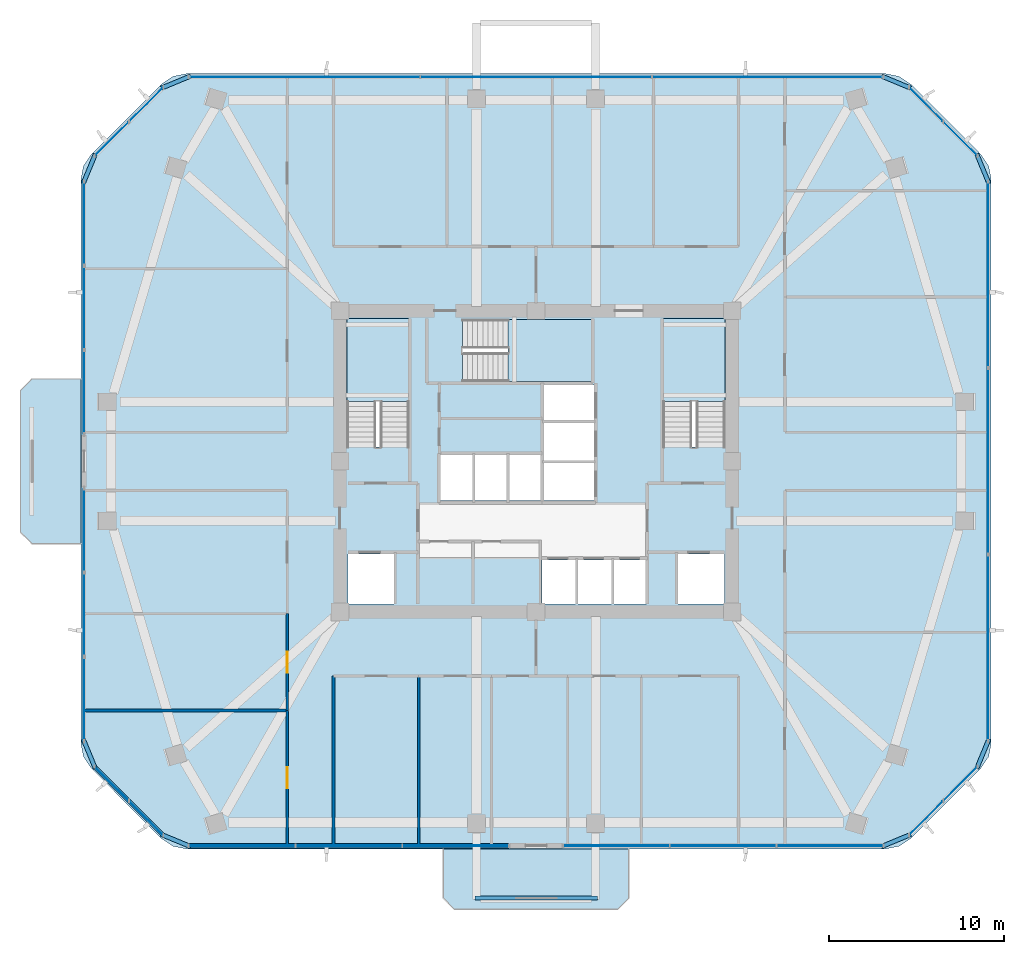
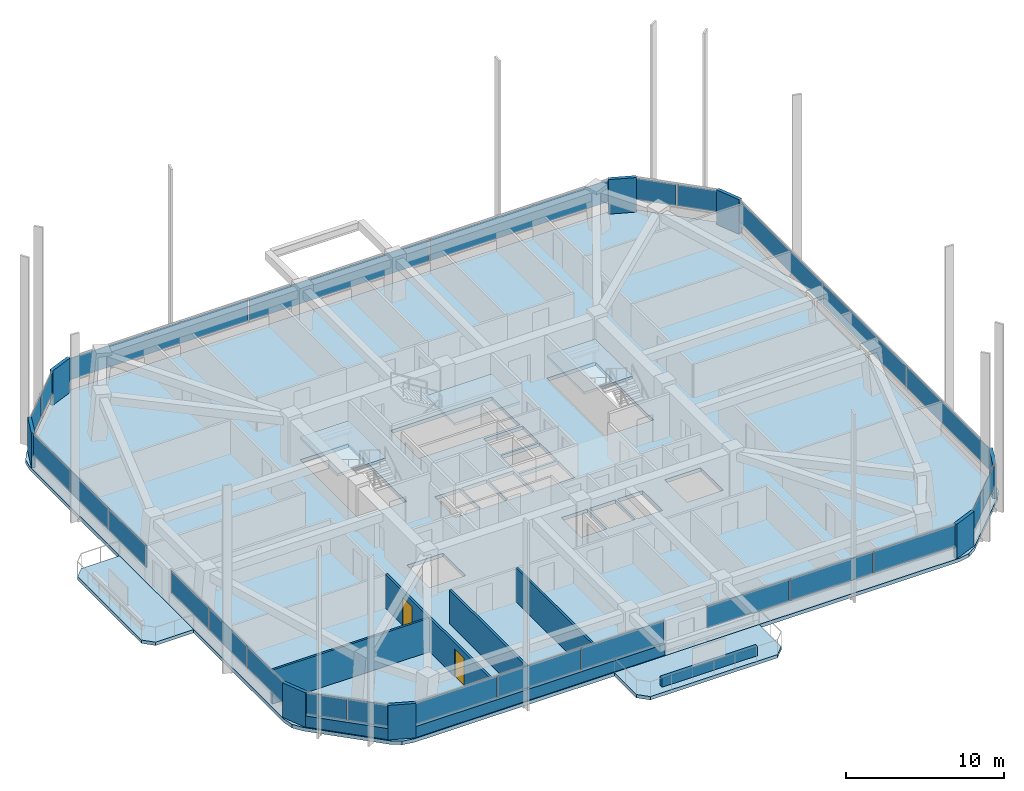
# One storey, part 7 of 15: 34 plates, 8 walls, 6 slabs, 2 doors, 2 openings, 13 elements without a shape of their own.
"""IFC4 building model written with IfcOpenShell, lengths in metres."""

from ifc_helpers import new_model, si_unit, derived_unit, direction, frame, frame_2d, origin, origin_2d, place, context, subcontext, project, spatial, polyline, rectangle, outline, extrude, material, layer, layer_set, type_object, element, fill, aggregate, save


model = new_model("IFC4")

# Units and contexts
model_context = context("Model", 3, precision=1e-05, world=origin(), true_north=direction((0.0, 1.0)))
body_context = subcontext(model_context, "Body", "Model", "MODEL_VIEW")
ifc_project = project(units=[si_unit("LENGTHUNIT", "METRE"), si_unit("AREAUNIT", "SQUARE_METRE"), si_unit("VOLUMEUNIT", "CUBIC_METRE"), si_unit("PLANEANGLEUNIT", "RADIAN"), si_unit("MASSUNIT", "GRAM", prefix="KILO"), derived_unit("THERMALTRANSMITTANCEUNIT", [(si_unit("POWERUNIT", "WATT"), 1), (si_unit("LENGTHUNIT", "METRE"), -2), (si_unit("THERMODYNAMICTEMPERATUREUNIT", "KELVIN"), -1)])], contexts=[model_context])

# Site, building, storey
site_placement = place(None, origin())
site = spatial("IfcSite", under=ifc_project, at=site_placement, CompositionType="ELEMENT")
building_placement = place(site_placement, origin())
building = spatial("IfcBuilding", under=site, at=building_placement, Name="Koralith Skygarden Medical Center", CompositionType="ELEMENT")
storey_placement = place(building_placement, frame((0.0, 0.0, 99.179931640625)))
storey = spatial("IfcBuildingStorey", under=building, at=storey_placement, Name="L25", CompositionType="ELEMENT", Elevation=99.179931640625)

# Curtain wall, plates
ifc_material_1 = material(Name="Clear Laminated Glass", Category="glass")
curtain_wall_type = type_object("IfcCurtainWallType", Name="CW-3 Zone 2 Faceted Solar Curtain Wall", PredefinedType="NOTDEFINED", material=ifc_material_1)
curtain_wall_1_placement = place(storey_placement, origin())
curtain_wall_1 = element("IfcCurtainWall", 1, at=curtain_wall_1_placement, inside=storey, type_object=curtain_wall_type, Name="Curtain Wall CW-L25-S-L", PredefinedType="NOTDEFINED")
ifc_layer_1 = layer(ifc_material_1, 0.033935546875)
ifc_layer_set_1 = layer_set([ifc_layer_1], Name="Clear Laminated Glass")
plate_type_1 = type_object("IfcPlateType", Name="CW-3 Hurricane Laminated IGU Panel 34", PredefinedType="CURTAIN_PANEL", material=ifc_layer_set_1)
plate_1_placement = place(storey_placement, frame((20.2119140625, 3.945068359375, 0.919921875), z_axis=(0.0, 0.0, 1.0), x_axis=(1.0, 0.0, 0.0)))
plate_1 = element("IfcPlate", 2, at=plate_1_placement, type_object=plate_type_1, Name="CW-L25-S-L Glazed Panel 1", PredefinedType="CURTAIN_PANEL", context=body_context, shape_type="SweptSolid", body=[
    extrude(rectangle(XDim=6.009033203125, YDim=0.033935546875, at=origin_2d()), origin(), (0.0, 0.0, 1.0), 1.679931640625),
])
plate_2_placement = place(storey_placement, frame((26.31103515625, 3.945068359375, 0.919921875), z_axis=(0.0, 0.0, 1.0), x_axis=(1.0, 0.0, 0.0)))
plate_2 = element("IfcPlate", 3, at=plate_2_placement, type_object=plate_type_1, Name="CW-L25-S-L Glazed Panel 2", PredefinedType="CURTAIN_PANEL", context=body_context, shape_type="SweptSolid", body=[
    extrude(rectangle(XDim=6.009033203125, YDim=0.033935546875, at=origin_2d()), origin(), (0.0, 0.0, 1.0), 1.679931640625),
])
plate_3_placement = place(storey_placement, frame((32.409912109375, 3.945068359375, 0.919921875), z_axis=(0.0, 0.0, 1.0), x_axis=(1.0, 0.0, 0.0)))
plate_3 = element("IfcPlate", 4, at=plate_3_placement, type_object=plate_type_1, Name="CW-L25-S-L Glazed Panel 3", PredefinedType="CURTAIN_PANEL", context=body_context, shape_type="SweptSolid", body=[
    extrude(rectangle(XDim=6.009033203125, YDim=0.033935546875, at=origin_2d()), origin(), (0.0, 0.0, 1.0), 1.679931640625),
])
aggregate(curtain_wall_1, [plate_1, plate_2, plate_3])

curtain_wall_2_placement = place(storey_placement, origin())
curtain_wall_2 = element("IfcCurtainWall", 5, at=curtain_wall_2_placement, inside=storey, type_object=curtain_wall_type, Name="Curtain Wall CW-L25-S-R", PredefinedType="NOTDEFINED")
plate_4_placement = place(storey_placement, frame((41.589111328125, 3.945068359375, 0.919921875), z_axis=(0.0, 0.0, 1.0), x_axis=(1.0, 0.0, 0.0)))
plate_4 = element("IfcPlate", 6, at=plate_4_placement, type_object=plate_type_1, Name="CW-L25-S-R Glazed Panel 1", PredefinedType="CURTAIN_PANEL", context=body_context, shape_type="SweptSolid", body=[
    extrude(rectangle(XDim=6.010009765625, YDim=0.033935546875, at=origin_2d()), origin(), (0.0, 0.0, 1.0), 1.679931640625),
])
plate_5_placement = place(storey_placement, frame((47.68896484375, 3.945068359375, 0.919921875), z_axis=(0.0, 0.0, 1.0), x_axis=(1.0, 0.0, 0.0)))
plate_5 = element("IfcPlate", 7, at=plate_5_placement, type_object=plate_type_1, Name="CW-L25-S-R Glazed Panel 2", PredefinedType="CURTAIN_PANEL", context=body_context, shape_type="SweptSolid", body=[
    extrude(rectangle(XDim=6.010009765625, YDim=0.033935546875, at=origin_2d()), origin(), (0.0, 0.0, 1.0), 1.679931640625),
])
plate_6_placement = place(storey_placement, frame((53.7880859375, 3.945068359375, 0.919921875), z_axis=(0.0, 0.0, 1.0), x_axis=(1.0, 0.0, 0.0)))
plate_6 = element("IfcPlate", 8, at=plate_6_placement, type_object=plate_type_1, Name="CW-L25-S-R Glazed Panel 3", PredefinedType="CURTAIN_PANEL", context=body_context, shape_type="SweptSolid", body=[
    extrude(rectangle(XDim=6.010009765625, YDim=0.033935546875, at=origin_2d()), origin(), (0.0, 0.0, 1.0), 1.679931640625),
])
aggregate(curtain_wall_2, [plate_4, plate_5, plate_6])

curtain_wall_3_placement = place(storey_placement, origin())
curtain_wall_3 = element("IfcCurtainWall", 9, at=curtain_wall_3_placement, inside=storey, type_object=curtain_wall_type, Name="Curtain Wall CW-L25-SE", PredefinedType="NOTDEFINED")
plate_7_placement = place(storey_placement, frame((59.27001953125, 5.528076171875, 0.919921875), z_axis=(0.0, 0.0, 1.0), x_axis=(0.707106781187, 0.707106781187, 0.0)))
plate_7 = element("IfcPlate", 10, at=plate_7_placement, type_object=plate_type_1, Name="CW-L25-SE Glazed Panel 1", PredefinedType="CURTAIN_PANEL", context=body_context, shape_type="SweptSolid", body=[
    extrude(rectangle(XDim=2.68408203125, YDim=0.033935546875, at=origin_2d()), origin(), (0.0, 0.0, 1.0), 1.679931640625),
])
plate_8_placement = place(storey_placement, frame((61.23095703125, 7.489013671875, 0.919921875), z_axis=(0.0, 0.0, 1.0), x_axis=(0.707106781187, 0.707106781187, 0.0)))
plate_8 = element("IfcPlate", 11, at=plate_8_placement, type_object=plate_type_1, Name="CW-L25-SE Glazed Panel 2", PredefinedType="CURTAIN_PANEL", context=body_context, shape_type="SweptSolid", body=[
    extrude(rectangle(XDim=2.68408203125, YDim=0.033935546875, at=origin_2d()), origin(), (0.0, 0.0, 1.0), 1.679931640625),
])
aggregate(curtain_wall_3, [plate_7, plate_8])

curtain_wall_4_placement = place(storey_placement, origin())
curtain_wall_4 = element("IfcCurtainWall", 12, at=curtain_wall_4_placement, inside=storey, type_object=curtain_wall_type, Name="Curtain Wall CW-L25-E", PredefinedType="NOTDEFINED")
plate_9_placement = place(storey_placement, frame((62.81298828125, 15.2470703125, 0.919921875), z_axis=(0.0, 0.0, 1.0), x_axis=(0.0, 1.0, 0.0)))
plate_9 = element("IfcPlate", 13, at=plate_9_placement, type_object=plate_type_1, Name="CW-L25-E Glazed Panel 1", PredefinedType="CURTAIN_PANEL", context=body_context, shape_type="SweptSolid", body=[
    extrude(rectangle(XDim=10.56298828125, YDim=0.033935546875, at=origin_2d()), origin(), (0.0, 0.0, 1.0), 1.679931640625),
])
plate_10_placement = place(storey_placement, frame((62.81298828125, 25.89990234375, 0.919921875), z_axis=(0.0, 0.0, 1.0), x_axis=(0.0, 1.0, 0.0)))
plate_10 = element("IfcPlate", 14, at=plate_10_placement, type_object=plate_type_1, Name="CW-L25-E Glazed Panel 2", PredefinedType="CURTAIN_PANEL", context=body_context, shape_type="SweptSolid", body=[
    extrude(rectangle(XDim=10.56298828125, YDim=0.033935546875, at=origin_2d()), origin(), (0.0, 0.0, 1.0), 1.679931640625),
])
plate_11_placement = place(storey_placement, frame((62.81298828125, 36.552978515625, 0.919921875), z_axis=(0.0, 0.0, 1.0), x_axis=(0.0, 1.0, 0.0)))
plate_11 = element("IfcPlate", 15, at=plate_11_placement, type_object=plate_type_1, Name="CW-L25-E Glazed Panel 3", PredefinedType="CURTAIN_PANEL", context=body_context, shape_type="SweptSolid", body=[
    extrude(rectangle(XDim=10.56298828125, YDim=0.033935546875, at=origin_2d()), origin(), (0.0, 0.0, 1.0), 1.679931640625),
])
aggregate(curtain_wall_4, [plate_9, plate_10, plate_11])

curtain_wall_5_placement = place(storey_placement, origin())
curtain_wall_5 = element("IfcCurtainWall", 16, at=curtain_wall_5_placement, inside=storey, type_object=curtain_wall_type, Name="Curtain Wall CW-L25-NE", PredefinedType="NOTDEFINED")
plate_12_placement = place(storey_placement, frame((61.23095703125, 44.31103515625, 0.919921875), z_axis=(0.0, 0.0, 1.0), x_axis=(-0.707106781187, 0.707106781187, 0.0)))
plate_12 = element("IfcPlate", 17, at=plate_12_placement, type_object=plate_type_1, Name="CW-L25-NE Glazed Panel 1", PredefinedType="CURTAIN_PANEL", context=body_context, shape_type="SweptSolid", body=[
    extrude(rectangle(XDim=2.68408203125, YDim=0.033935546875, at=origin_2d()), origin(), (0.0, 0.0, 1.0), 1.679931640625),
])
plate_13_placement = place(storey_placement, frame((59.27001953125, 46.27197265625, 0.919921875), z_axis=(0.0, 0.0, 1.0), x_axis=(-0.707106781187, 0.707106781187, 0.0)))
plate_13 = element("IfcPlate", 18, at=plate_13_placement, type_object=plate_type_1, Name="CW-L25-NE Glazed Panel 2", PredefinedType="CURTAIN_PANEL", context=body_context, shape_type="SweptSolid", body=[
    extrude(rectangle(XDim=2.68408203125, YDim=0.033935546875, at=origin_2d()), origin(), (0.0, 0.0, 1.0), 1.679931640625),
])
aggregate(curtain_wall_5, [plate_12, plate_13])

curtain_wall_6_placement = place(storey_placement, origin())
curtain_wall_6 = element("IfcCurtainWall", 19, at=curtain_wall_6_placement, inside=storey, type_object=curtain_wall_type, Name="Curtain Wall CW-L25-N", PredefinedType="NOTDEFINED")
plate_14_placement = place(storey_placement, frame((50.22509765625, 47.85498046875, 0.919921875), z_axis=(0.0, 0.0, 1.0), x_axis=(-1.0, 0.0, 0.0)))
plate_14 = element("IfcPlate", 20, at=plate_14_placement, type_object=plate_type_1, Name="CW-L25-N Glazed Panel 1", PredefinedType="CURTAIN_PANEL", context=body_context, shape_type="SweptSolid", body=[
    extrude(rectangle(XDim=13.135009765625, YDim=0.033935546875, at=origin_2d()), origin(), (0.0, 0.0, 1.0), 1.679931640625),
])
plate_15_placement = place(storey_placement, frame((37.0, 47.85498046875, 0.919921875), z_axis=(0.0, 0.0, 1.0), x_axis=(-1.0, 0.0, 0.0)))
plate_15 = element("IfcPlate", 21, at=plate_15_placement, type_object=plate_type_1, Name="CW-L25-N Glazed Panel 2", PredefinedType="CURTAIN_PANEL", context=body_context, shape_type="SweptSolid", body=[
    extrude(rectangle(XDim=13.135009765625, YDim=0.033935546875, at=origin_2d()), origin(), (0.0, 0.0, 1.0), 1.679931640625),
])
plate_16_placement = place(storey_placement, frame((23.77490234375, 47.85498046875, 0.919921875), z_axis=(0.0, 0.0, 1.0), x_axis=(-1.0, 0.0, 0.0)))
plate_16 = element("IfcPlate", 22, at=plate_16_placement, type_object=plate_type_1, Name="CW-L25-N Glazed Panel 3", PredefinedType="CURTAIN_PANEL", context=body_context, shape_type="SweptSolid", body=[
    extrude(rectangle(XDim=13.135009765625, YDim=0.033935546875, at=origin_2d()), origin(), (0.0, 0.0, 1.0), 1.679931640625),
])
aggregate(curtain_wall_6, [plate_14, plate_15, plate_16])

curtain_wall_7_placement = place(storey_placement, origin())
curtain_wall_7 = element("IfcCurtainWall", 23, at=curtain_wall_7_placement, inside=storey, type_object=curtain_wall_type, Name="Curtain Wall CW-L25-NW", PredefinedType="NOTDEFINED")
plate_17_placement = place(storey_placement, frame((14.72998046875, 46.27197265625, 0.919921875), z_axis=(0.0, 0.0, 1.0), x_axis=(-0.707106781187, -0.707106781187, 0.0)))
plate_17 = element("IfcPlate", 24, at=plate_17_placement, type_object=plate_type_1, Name="CW-L25-NW Glazed Panel 1", PredefinedType="CURTAIN_PANEL", context=body_context, shape_type="SweptSolid", body=[
    extrude(rectangle(XDim=2.68408203125, YDim=0.033935546875, at=origin_2d()), origin(), (0.0, 0.0, 1.0), 1.679931640625),
])
plate_18_placement = place(storey_placement, frame((12.76904296875, 44.31103515625, 0.919921875), z_axis=(0.0, 0.0, 1.0), x_axis=(-0.707106781187, -0.707106781187, 0.0)))
plate_18 = element("IfcPlate", 25, at=plate_18_placement, type_object=plate_type_1, Name="CW-L25-NW Glazed Panel 2", PredefinedType="CURTAIN_PANEL", context=body_context, shape_type="SweptSolid", body=[
    extrude(rectangle(XDim=2.68408203125, YDim=0.033935546875, at=origin_2d()), origin(), (0.0, 0.0, 1.0), 1.679931640625),
])
aggregate(curtain_wall_7, [plate_17, plate_18])

curtain_wall_8_placement = place(storey_placement, origin())
curtain_wall_8 = element("IfcCurtainWall", 26, at=curtain_wall_8_placement, inside=storey, type_object=curtain_wall_type, Name="Curtain Wall CW-L25-W-L", PredefinedType="NOTDEFINED")
plate_19_placement = place(storey_placement, frame((11.18701171875, 39.471923828125, 0.919921875), z_axis=(0.0, 0.0, 1.0), x_axis=(0.0, -1.0, 0.0)))
plate_19 = element("IfcPlate", 27, at=plate_19_placement, type_object=plate_type_1, Name="CW-L25-W-L Glazed Panel 1", PredefinedType="CURTAIN_PANEL", context=body_context, shape_type="SweptSolid", body=[
    extrude(rectangle(XDim=4.722900390625, YDim=0.033935546875, at=origin_2d()), origin(), (0.0, 0.0, 1.0), 1.679931640625),
])
plate_20_placement = place(storey_placement, frame((11.18701171875, 34.659912109375, 0.919921875), z_axis=(0.0, 0.0, 1.0), x_axis=(0.0, -1.0, 0.0)))
plate_20 = element("IfcPlate", 28, at=plate_20_placement, type_object=plate_type_1, Name="CW-L25-W-L Glazed Panel 2", PredefinedType="CURTAIN_PANEL", context=body_context, shape_type="SweptSolid", body=[
    extrude(rectangle(XDim=4.722900390625, YDim=0.033935546875, at=origin_2d()), origin(), (0.0, 0.0, 1.0), 1.679931640625),
])
plate_21_placement = place(storey_placement, frame((11.18701171875, 29.845947265625, 0.919921875), z_axis=(0.0, 0.0, 1.0), x_axis=(0.0, -1.0, 0.0)))
plate_21 = element("IfcPlate", 29, at=plate_21_placement, type_object=plate_type_1, Name="CW-L25-W-L Glazed Panel 3", PredefinedType="CURTAIN_PANEL", context=body_context, shape_type="SweptSolid", body=[
    extrude(rectangle(XDim=4.722900390625, YDim=0.033935546875, at=origin_2d()), origin(), (0.0, 0.0, 1.0), 1.679931640625),
])
aggregate(curtain_wall_8, [plate_19, plate_20, plate_21])

curtain_wall_9_placement = place(storey_placement, origin())
curtain_wall_9 = element("IfcCurtainWall", 30, at=curtain_wall_9_placement, inside=storey, type_object=curtain_wall_type, Name="Curtain Wall CW-L25-W-R", PredefinedType="NOTDEFINED")
plate_22_placement = place(storey_placement, frame((11.18701171875, 21.952880859375, 0.919921875), z_axis=(0.0, 0.0, 1.0), x_axis=(0.0, -1.0, 0.0)))
plate_22 = element("IfcPlate", 31, at=plate_22_placement, type_object=plate_type_1, Name="CW-L25-W-R Glazed Panel 1", PredefinedType="CURTAIN_PANEL", context=body_context, shape_type="SweptSolid", body=[
    extrude(rectangle(XDim=4.722900390625, YDim=0.033935546875, at=origin_2d()), origin(), (0.0, 0.0, 1.0), 1.679931640625),
])
plate_23_placement = place(storey_placement, frame((11.18701171875, 17.139892578125, 0.919921875), z_axis=(0.0, 0.0, 1.0), x_axis=(0.0, -1.0, 0.0)))
plate_23 = element("IfcPlate", 32, at=plate_23_placement, type_object=plate_type_1, Name="CW-L25-W-R Glazed Panel 2", PredefinedType="CURTAIN_PANEL", context=body_context, shape_type="SweptSolid", body=[
    extrude(rectangle(XDim=4.722900390625, YDim=0.033935546875, at=origin_2d()), origin(), (0.0, 0.0, 1.0), 1.679931640625),
])
plate_24_placement = place(storey_placement, frame((11.18701171875, 12.327880859375, 0.919921875), z_axis=(0.0, 0.0, 1.0), x_axis=(0.0, -1.0, 0.0)))
plate_24 = element("IfcPlate", 33, at=plate_24_placement, type_object=plate_type_1, Name="CW-L25-W-R Glazed Panel 3", PredefinedType="CURTAIN_PANEL", context=body_context, shape_type="SweptSolid", body=[
    extrude(rectangle(XDim=4.722900390625, YDim=0.033935546875, at=origin_2d()), origin(), (0.0, 0.0, 1.0), 1.679931640625),
])
aggregate(curtain_wall_9, [plate_22, plate_23, plate_24])

curtain_wall_10_placement = place(storey_placement, origin())
curtain_wall_10 = element("IfcCurtainWall", 34, at=curtain_wall_10_placement, inside=storey, type_object=curtain_wall_type, Name="Curtain Wall CW-L25-SW", PredefinedType="NOTDEFINED")
plate_25_placement = place(storey_placement, frame((12.76904296875, 7.489013671875, 0.919921875), z_axis=(0.0, 0.0, 1.0), x_axis=(0.707106781187, -0.707106781187, 0.0)))
plate_25 = element("IfcPlate", 35, at=plate_25_placement, type_object=plate_type_1, Name="CW-L25-SW Glazed Panel 1", PredefinedType="CURTAIN_PANEL", context=body_context, shape_type="SweptSolid", body=[
    extrude(rectangle(XDim=2.68408203125, YDim=0.033935546875, at=origin_2d()), origin(), (0.0, 0.0, 1.0), 1.679931640625),
])
plate_26_placement = place(storey_placement, frame((14.72998046875, 5.528076171875, 0.919921875), z_axis=(0.0, 0.0, 1.0), x_axis=(0.707106781187, -0.707106781187, 0.0)))
plate_26 = element("IfcPlate", 36, at=plate_26_placement, type_object=plate_type_1, Name="CW-L25-SW Glazed Panel 2", PredefinedType="CURTAIN_PANEL", context=body_context, shape_type="SweptSolid", body=[
    extrude(rectangle(XDim=2.68408203125, YDim=0.033935546875, at=origin_2d()), origin(), (0.0, 0.0, 1.0), 1.679931640625),
])
aggregate(curtain_wall_10, [plate_25, plate_26])

# Slabs
ifc_material_2 = material(Name="Concrete C45/55", Category="concrete")
ifc_layer_2 = layer(ifc_material_2, 0.260009765625)
ifc_layer_set_2 = layer_set([ifc_layer_2], Name="Concrete C45/55")
slab_type_1 = type_object("IfcSlabType", Name="Cantilevered Planted Balcony Slab 260", PredefinedType="FLOOR", material=ifc_layer_set_2)
slab_1_placement = place(storey_placement, frame((0.0, 0.0, -0.260009765625)))
element("IfcSlab", 37, at=slab_1_placement, inside=storey, type_object=slab_type_1, Name="L25 S Planted Sky-Garden Balcony Slab", PredefinedType="FLOOR", context=body_context, shape_type="SweptSolid", body=[
    extrude(outline(polyline([(32.35009765625, 0.31494140625), (41.64990234375, 0.31494140625), (42.300048828125, 0.965087890625), (42.300048828125, 3.764892578125), (31.699951171875, 3.764892578125), (31.699951171875, 0.965087890625), (32.35009765625, 0.31494140625)])), origin(), (0.0, 0.0, 1.0), 0.260009765625),
])
slab_2_placement = place(storey_placement, frame((0.0, 0.0, -0.260009765625)))
element("IfcSlab", 38, at=slab_2_placement, inside=storey, type_object=slab_type_1, Name="L25 W Planted Sky-Garden Balcony Slab", PredefinedType="FLOOR", context=body_context, shape_type="SweptSolid", body=[
    extrude(outline(polyline([(8.20703125, 21.199951171875), (11.007080078125, 21.199951171875), (11.007080078125, 30.60009765625), (8.20703125, 30.60009765625), (7.556884765625, 29.949951171875), (7.556884765625, 21.85009765625), (8.20703125, 21.199951171875)])), origin(), (0.0, 0.0, 1.0), 0.260009765625),
])

# Stair, slab
stair_type = type_object("IfcStairType", Name="Core Exit Dogleg Concrete Stair", PredefinedType="HALF_TURN_STAIR", material=ifc_material_2)
stair_1_placement = place(storey_placement, origin())
stair_1 = element("IfcStair", 39, at=stair_1_placement, inside=storey, type_object=stair_type, Name="L25 Smokeproof Exit Stair ST1", PredefinedType="HALF_TURN_STAIR")
ifc_layer_3 = layer(ifc_material_2, 0.199951171875)
ifc_layer_set_3 = layer_set([ifc_layer_3], Name="Concrete C45/55")
slab_type_2 = type_object("IfcSlabType", Name="Core Exit Concrete Stair Landing 200", PredefinedType="LANDING", material=ifc_layer_set_3)
slab_3_placement = place(storey_placement, frame((0.0, 0.0, 1.60009765625)))
slab_3 = element("IfcSlab", 40, at=slab_3_placement, type_object=slab_type_2, Name="ST1 landing 1", PredefinedType="LANDING", context=body_context, shape_type="SweptSolid", body=[
    extrude(outline(polyline([(29.75, 29.31005859375), (29.75, 34.050048828125), (26.199951171875, 34.050048828125), (26.199951171875, 29.31005859375), (29.75, 29.31005859375)])), origin(), (0.0, 0.0, 1.0), 0.199951171875),
])
aggregate(stair_1, [slab_3])

stair_2_placement = place(storey_placement, origin())
stair_2 = element("IfcStair", 41, at=stair_2_placement, inside=storey, type_object=stair_type, Name="L25 Smokeproof Exit Stair ST2", PredefinedType="HALF_TURN_STAIR")
slab_4_placement = place(storey_placement, frame((0.0, 0.0, 1.60009765625)))
slab_4 = element("IfcSlab", 42, at=slab_4_placement, type_object=slab_type_2, Name="ST2 landing 1", PredefinedType="LANDING", context=body_context, shape_type="SweptSolid", body=[
    extrude(outline(polyline([(47.800048828125, 29.31005859375), (47.800048828125, 34.050048828125), (44.25, 34.050048828125), (44.25, 29.31005859375), (47.800048828125, 29.31005859375)])), origin(), (0.0, 0.0, 1.0), 0.199951171875),
])
aggregate(stair_2, [slab_4])

stair_3_placement = place(storey_placement, origin())
stair_3 = element("IfcStair", 43, at=stair_3_placement, inside=storey, type_object=stair_type, Name="L25 Smokeproof Exit Stair ST3", PredefinedType="HALF_TURN_STAIR")
slab_5_placement = place(storey_placement, frame((0.0, 0.0, 1.60009765625)))
slab_5 = element("IfcSlab", 44, at=slab_5_placement, type_object=slab_type_2, Name="ST3 landing 1", PredefinedType="LANDING", context=body_context, shape_type="SweptSolid", body=[
    extrude(outline(polyline([(35.409912109375, 30.449951171875), (40.199951171875, 30.449951171875), (40.199951171875, 34.0), (35.409912109375, 34.0), (35.409912109375, 30.449951171875)])), origin(), (0.0, 0.0, 1.0), 0.199951171875),
])
aggregate(stair_3, [slab_5])

# Slab
ifc_layer_4 = layer(ifc_material_2, 0.280029296875)
ifc_layer_set_4 = layer_set([ifc_layer_4], Name="Concrete C45/55")
slab_type_3 = type_object("IfcSlabType", Name="Post-Tensioned Ward Floor Plate 280", PredefinedType="FLOOR", material=ifc_layer_set_4)
slab_6_placement = place(storey_placement, frame((0.0, 0.0, -0.280029296875)))
element("IfcSlab", 45, at=slab_6_placement, inside=storey, type_object=slab_type_3, Name="Level L25 Structural Floor Slab", PredefinedType="FLOOR", context=body_context, shape_type="SweptSolid", body=[
    extrude(outline(polyline([(15.62109375, 4.35107421875), (16.27001953125, 3.91796875), (17.034912109375, 3.764892578125), (56.965087890625, 3.764892578125), (57.72998046875, 3.91796875), (58.37890625, 4.35107421875), (62.406982421875, 8.3798828125), (62.841064453125, 9.029052734375), (62.992919921875, 9.7939453125), (62.992919921875, 42.006103515625), (62.841064453125, 42.77099609375), (62.406982421875, 43.419921875), (58.37890625, 47.448974609375), (57.72998046875, 47.882080078125), (56.965087890625, 48.033935546875), (17.034912109375, 48.033935546875), (16.27001953125, 47.882080078125), (15.62109375, 47.448974609375), (11.593017578125, 43.419921875), (11.158935546875, 42.77099609375), (11.007080078125, 42.006103515625), (11.007080078125, 9.7939453125), (11.158935546875, 9.029052734375), (11.593017578125, 8.3798828125), (15.62109375, 4.35107421875)]), holes=[polyline([(26.199951171875, 26.705078125), (29.75, 26.705078125), (29.75, 34.050048828125), (26.199951171875, 34.050048828125), (26.199951171875, 26.705078125)]), polyline([(44.25, 26.705078125), (47.800048828125, 26.705078125), (47.800048828125, 34.050048828125), (44.25, 34.050048828125), (44.25, 26.705078125)]), polyline([(32.804931640625, 30.449951171875), (40.199951171875, 30.449951171875), (40.199951171875, 34.0), (32.804931640625, 34.0), (32.804931640625, 30.449951171875)]), polyline([(26.25, 17.75), (28.89990234375, 17.75), (28.89990234375, 20.60009765625), (26.25, 20.60009765625), (26.25, 17.75)]), polyline([(45.10009765625, 17.75), (47.75, 17.75), (47.75, 20.60009765625), (45.10009765625, 20.60009765625), (45.10009765625, 17.75)]), polyline([(37.35009765625, 17.75), (39.25, 17.75), (39.25, 20.25), (37.35009765625, 20.25), (37.35009765625, 17.75)]), polyline([(39.39990234375, 17.75), (41.300048828125, 17.75), (41.300048828125, 20.25), (39.39990234375, 20.25), (39.39990234375, 17.75)]), polyline([(41.449951171875, 17.75), (43.300048828125, 17.75), (43.300048828125, 20.25), (41.449951171875, 20.25), (41.449951171875, 17.75)]), polyline([(31.550048828125, 23.64990234375), (33.39990234375, 23.64990234375), (33.39990234375, 26.25), (31.550048828125, 26.25), (31.550048828125, 23.64990234375)]), polyline([(33.5, 23.64990234375), (35.35009765625, 23.64990234375), (35.35009765625, 26.25), (33.5, 26.25), (33.5, 23.64990234375)]), polyline([(35.449951171875, 23.64990234375), (37.300048828125, 23.64990234375), (37.300048828125, 26.25), (35.449951171875, 26.25), (35.449951171875, 23.64990234375)]), polyline([(37.449951171875, 23.64990234375), (40.300048828125, 23.64990234375), (40.300048828125, 25.800048828125), (37.449951171875, 25.800048828125), (37.449951171875, 23.64990234375)]), polyline([(37.449951171875, 25.949951171875), (40.300048828125, 25.949951171875), (40.300048828125, 28.10009765625), (37.449951171875, 28.10009765625), (37.449951171875, 25.949951171875)]), polyline([(37.449951171875, 28.25), (40.300048828125, 28.25), (40.300048828125, 30.25), (37.449951171875, 30.25), (37.449951171875, 28.25)])]), origin(), (0.0, 0.0, 1.0), 0.280029296875),
])

# Plates
ifc_material_3 = material(Name="Warm Oolitic Limestone Cladding", Category="masonry")
ifc_layer_5 = layer(ifc_material_3, 0.239990234375)
ifc_layer_set_5 = layer_set([ifc_layer_5], Name="Warm Oolitic Limestone Cladding")
plate_type_2 = type_object("IfcPlateType", Name="Rounded-Corner Oolitic Limestone Cladding Panel 240", PredefinedType="USERDEFINED", material=ifc_layer_set_5)
for number, where, z_axis, x_axis, name in (
    (46, (57.56396484375, 4.24609375, 0.0), (0.0, 0.0, 1.0), (0.923659638286, 0.383213873184, 0.0), "L25 Rounded-Corner Limestone Pier 1"),
    (47, (62.512939453125, 9.195068359375, 0.0), (0.0, 0.0, 1.0), (0.382670532536, 0.92388487569, 0.0), "L25 Rounded-Corner Limestone Pier 2"),
    (48, (62.512939453125, 42.60498046875, 0.0), (0.0, 0.0, 1.0), (-0.382670532536, 0.92388487569, 0.0), "L25 Rounded-Corner Limestone Pier 3"),
    (49, (57.56396484375, 47.553955078125, 0.0), (0.0, 0.0, 1.0), (-0.923659638286, 0.383213873184, 0.0), "L25 Rounded-Corner Limestone Pier 4"),
    (50, (16.43603515625, 47.553955078125, 0.0), (0.0, 0.0, 1.0), (-0.923659638286, -0.383213873184, 0.0), "L25 Rounded-Corner Limestone Pier 5"),
    (51, (11.488037109375, 42.60498046875, 0.0), (0.0, 0.0, 1.0), (-0.382670532536, -0.92388487569, 0.0), "L25 Rounded-Corner Limestone Pier 6"),
    (52, (11.488037109375, 9.195068359375, 0.0), (0.0, 0.0, 1.0), (0.382670532536, -0.92388487569, 0.0), "L25 Rounded-Corner Limestone Pier 7"),
    (53, (16.43603515625, 4.24609375, 0.0), (0.0, 0.0, 1.0), (0.923659638286, -0.383213873184, 0.0), "L25 Rounded-Corner Limestone Pier 8"),
):
    element("IfcPlate", number, at=place(storey_placement, frame(where, z_axis=z_axis, x_axis=x_axis)), inside=storey, type_object=plate_type_2, Name=name, ObjectType="LIMESTONE CLADDING", PredefinedType="USERDEFINED", context=body_context, shape_type="SweptSolid", body=[
        extrude(rectangle(XDim=1.81103515625, YDim=0.239990234375, at=origin_2d()), origin(), (0.0, 0.0, 1.0), 2.669921875),
    ])

# Walls
ifc_material_4 = material(Name="Gypsum Board Partition")
ifc_layer_6 = layer(ifc_material_4, 0.14990234375)
ifc_layer_set_6 = layer_set([ifc_layer_6], Name="Gypsum Board Partition")
wall_type_1 = type_object("IfcWallType", Name="Clinical Acoustic Partition 150", PredefinedType="PARTITIONING", material=ifc_layer_set_6)
wall_1_placement = place(storey_placement, frame((30.294921875, 13.639892578125, 0.0), z_axis=(0.0, 0.0, 1.0), x_axis=(0.0, -1.0, 0.0)))
element("IfcWall", 54, at=wall_1_placement, inside=storey, type_object=wall_type_1, Name="L25 Clinical Acoustic Partition 150 W-PART-L25-S-01", PredefinedType="PARTITIONING", context=body_context, shape_type="SweptSolid", body=[
    extrude(rectangle(XDim=9.6748046875, YDim=0.14990234375, at=frame_2d((4.83740234375, 0.0))), origin(), (0.0, 0.0, 1.0), 2.610107421875),
])
wall_2_placement = place(storey_placement, frame((22.7900390625, 11.6689453125, 0.0), z_axis=(0.0, 0.0, 1.0), x_axis=(-1.0, 0.0, 0.0)))
element("IfcWall", 55, at=wall_2_placement, inside=storey, type_object=wall_type_1, Name="L25 Clinical Acoustic Partition 150 W-PART-L25-WS-01", PredefinedType="PARTITIONING", context=body_context, shape_type="SweptSolid", body=[
    extrude(rectangle(XDim=11.5830078125, YDim=0.14990234375, at=frame_2d((5.79150390625, 0.0))), origin(), (0.0, 0.0, 1.0), 2.610107421875),
])
ifc_layer_7 = layer(ifc_material_4, 0.1650390625)
ifc_layer_set_7 = layer_set([ifc_layer_7], Name="Gypsum Board Partition")
wall_type_2 = type_object("IfcWallType", Name="Clinical Corridor Partition 165", PredefinedType="PARTITIONING", material=ifc_layer_set_7)
wall_3_placement = place(storey_placement, frame((25.429931640625, 3.965087890625, 0.0), z_axis=(0.0, 0.0, 1.0), x_axis=(0.0, 1.0, 0.0)))
element("IfcWall", 56, at=wall_3_placement, inside=storey, type_object=wall_type_2, Name="L25 Clinical Corridor Partition 165 W-HCOR-L25-SW", PredefinedType="PARTITIONING", context=body_context, shape_type="SweptSolid", body=[
    extrude(rectangle(XDim=9.6748046875, YDim=0.1650390625, at=frame_2d((4.83740234375, 0.0))), origin(), (0.0, 0.0, 1.0), 2.610107421875),
])

# Wall, opening, door
wall_4_placement = place(storey_placement, frame((22.7900390625, 3.965087890625, 0.0), z_axis=(0.0, 0.0, 1.0), x_axis=(0.0, 1.0, 0.0)))
wall_4 = element("IfcWall", 57, at=wall_4_placement, inside=storey, type_object=wall_type_2, Name="L25 Clinical Corridor Partition 165 W-CORR-L25-WS-01", PredefinedType="PARTITIONING", context=body_context, shape_type="SweptSolid", body=[
    extrude(rectangle(XDim=7.703857421875, YDim=0.1650390625, at=frame_2d((3.85205078125, 0.0))), origin(), (0.0, 0.0, 1.0), 2.610107421875),
])
opening_1_placement = place(wall_4_placement, frame((3.251953125, 0.0, 0.0)))
opening_1 = element("IfcOpeningElement", 58, at=opening_1_placement, cuts=wall_4, Name="Opening D-CLN", PredefinedType="OPENING", context=body_context, shape_type="SweptSolid", body=[
    extrude(rectangle(XDim=1.199951171875, YDim=2.14990234375, at=frame_2d((0.60009765625, 1.074951171875))), frame((0.0, 0.092529296875, 0.0), z_axis=(0.0, -1.0, 0.0), x_axis=(1.0, 0.0, 0.0)), (0.0, 0.0, 1.0), 0.18505859375),
])
ifc_material_5 = material(Name="Aluminium 6063-T6", Category="aluminium")
door_type = type_object("IfcDoorType", Name="Clinical Corridor Door D-CLN 1200", OperationType="NOTDEFINED", PredefinedType="DOOR", material=ifc_material_5)
door_1_placement = place(opening_1_placement, frame((1.199951171875, 0.0, 0.0), z_axis=(0.0, 0.0, 1.0), x_axis=(-1.0, 0.0, 0.0)))
door_1 = element("IfcDoor", 59, at=door_1_placement, inside=storey, type_object=door_type, Name="L25 Palliative Quiet Family Lounge 10 Door", OperationType="SINGLE_SWING_LEFT", OverallHeight=2.14990234375, OverallWidth=1.199951171875, PredefinedType="DOOR", context=body_context, shape_type="SweptSolid", body=[
    extrude(rectangle(XDim=1.199951171875, YDim=2.14990234375, at=frame_2d((0.60009765625, 1.074951171875))), frame((0.0, 0.02490234375, 0.0), z_axis=(0.0, -1.0, 0.0), x_axis=(1.0, 0.0, 0.0)), (0.0, 0.0, 1.0), 0.050048828125),
])
fill(opening_1, door_1)

wall_5_placement = place(storey_placement, frame((22.7900390625, 11.6689453125, 0.0), z_axis=(0.0, 0.0, 1.0), x_axis=(0.0, 1.0, 0.0)))
wall_5 = element("IfcWall", 60, at=wall_5_placement, inside=storey, type_object=wall_type_2, Name="L25 Clinical Corridor Partition 165 W-CORR-L25-WS-02", PredefinedType="PARTITIONING", context=body_context, shape_type="SweptSolid", body=[
    extrude(rectangle(XDim=5.531005859375, YDim=0.1650390625, at=frame_2d((2.765625, 0.0))), origin(), (0.0, 0.0, 1.0), 2.610107421875),
])
opening_2_placement = place(wall_5_placement, frame((2.1650390625, 0.0, 0.0)))
opening_2 = element("IfcOpeningElement", 61, at=opening_2_placement, cuts=wall_5, Name="Opening D-CLN", PredefinedType="OPENING", context=body_context, shape_type="SweptSolid", body=[
    extrude(rectangle(XDim=1.199951171875, YDim=2.14990234375, at=frame_2d((0.60009765625, 1.074951171875))), frame((0.0, 0.092529296875, 0.0), z_axis=(0.0, -1.0, 0.0), x_axis=(1.0, 0.0, 0.0)), (0.0, 0.0, 1.0), 0.18505859375),
])
door_2_placement = place(opening_2_placement, frame((1.199951171875, 0.0, 0.0), z_axis=(0.0, 0.0, 1.0), x_axis=(-1.0, 0.0, 0.0)))
door_2 = element("IfcDoor", 62, at=door_2_placement, inside=storey, type_object=door_type, Name="L25 Bereavement Sitting Room 11 Door", OperationType="SINGLE_SWING_RIGHT", OverallHeight=2.14990234375, OverallWidth=1.199951171875, PredefinedType="DOOR", context=body_context, shape_type="SweptSolid", body=[
    extrude(rectangle(XDim=1.199951171875, YDim=2.14990234375, at=frame_2d((0.60009765625, 1.074951171875))), frame((0.0, 0.02490234375, 0.0), z_axis=(0.0, -1.0, 0.0), x_axis=(1.0, 0.0, 0.0)), (0.0, 0.0, 1.0), 0.050048828125),
])
fill(opening_2, door_2)

# Walls
ifc_layer_8 = layer(ifc_material_3, 0.239990234375)
ifc_layer_set_8 = layer_set([ifc_layer_8], Name="Warm Oolitic Limestone Cladding")
wall_type_3 = type_object("IfcWallType", Name="Limestone Spandrel Sill Backup Wall 240", PredefinedType="SOLIDWALL", material=ifc_layer_set_8)
wall_6_placement = place(storey_placement, frame((17.162109375, 3.945068359375, 0.0), z_axis=(0.0, 0.0, 1.0), x_axis=(1.0, 0.0, 0.0)))
element("IfcWall", 63, at=wall_6_placement, inside=storey, type_object=wall_type_3, Name="L25 Sill Spandrel S-L", PredefinedType="SOLIDWALL", context=body_context, shape_type="SweptSolid", body=[
    extrude(rectangle(XDim=18.296875, YDim=0.239990234375, at=frame_2d((9.1484375, 0.0))), origin(), (0.0, 0.0, 1.0), 0.85009765625),
])
wall_7_placement = place(storey_placement, frame((11.7880859375, 8.469970703125, 0.0), z_axis=(0.0, 0.0, 1.0), x_axis=(0.707106781187, -0.707106781187, 0.0)))
element("IfcWall", 64, at=wall_7_placement, inside=storey, type_object=wall_type_3, Name="L25 Sill Spandrel SW", PredefinedType="SOLIDWALL", context=body_context, shape_type="SweptSolid", body=[
    extrude(rectangle(XDim=5.5478515625, YDim=0.239990234375, at=frame_2d((2.77392578125, 0.0))), origin(), (0.0, 0.0, 1.0), 0.85009765625),
])
ifc_material_6 = material(Name="Precast concrete C40/50", Category="concrete")
ifc_layer_9 = layer(ifc_material_6, 0.25)
ifc_layer_set_9 = layer_set([ifc_layer_9], Name="Precast concrete C40/50")
wall_type_4 = type_object("IfcWallType", Name="Structural Concrete Balcony Planter Kerb 250", PredefinedType="PARAPET", material=ifc_layer_set_9)
wall_8_placement = place(storey_placement, frame((33.5, 0.965087890625, 0.0), z_axis=(0.0, 0.0, 1.0), x_axis=(1.0, 0.0, 0.0)))
element("IfcWall", 65, at=wall_8_placement, inside=storey, type_object=wall_type_4, Name="L25 S Structural Tree PLANTER Box", PredefinedType="PARAPET", context=body_context, shape_type="SweptSolid", body=[
    extrude(rectangle(XDim=7.0, YDim=0.25, at=frame_2d((3.5, 0.0))), origin(), (0.0, 0.0, 1.0), 0.719970703125),
])

save(model, "model.ifc")
